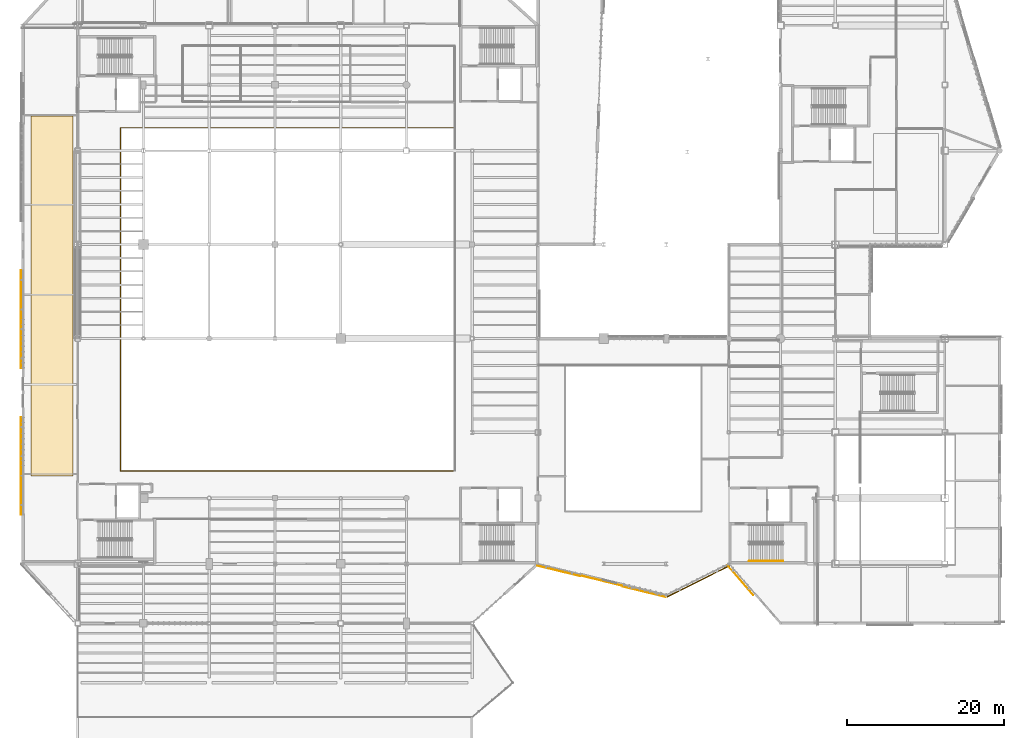
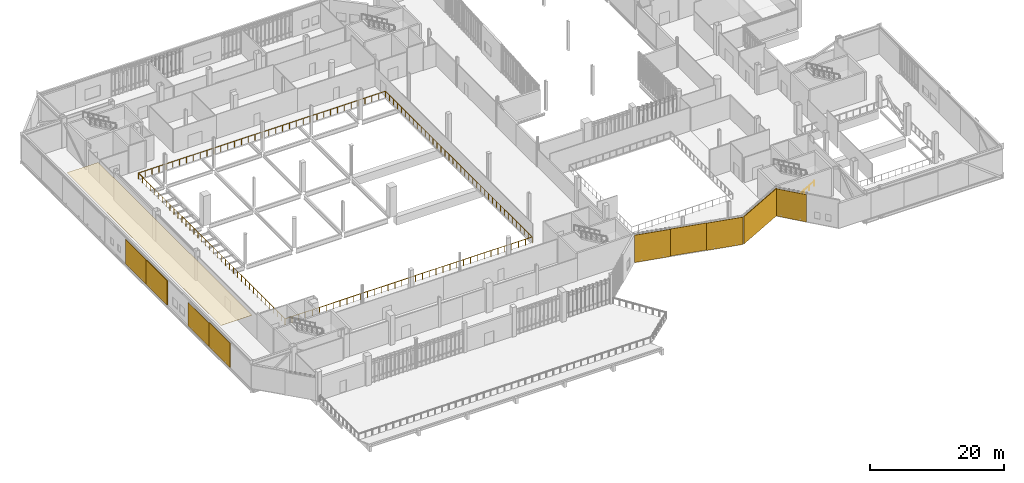
# One storey, part 120 of 127: 8 shading devices, 2 coverings, 2 railings.
"""IFC4 building model written with IfcOpenShell, lengths in metres."""

from ifc_helpers import new_model, si_unit, direction, frame, origin, origin_2d, place, context, subcontext, project, spatial, polyline, rectangle, circle, outline, extrude, material, layer, layer_set, type_object, element, save


model = new_model("IFC4")

# Units and contexts
model_context = context("Model", 3, precision=1e-05, world=origin(), true_north=direction((0.0, 1.0)))
body_context = subcontext(model_context, "Body", "Model", "MODEL_VIEW")
ifc_project = project(units=[si_unit("LENGTHUNIT", "METRE"), si_unit("AREAUNIT", "SQUARE_METRE"), si_unit("VOLUMEUNIT", "CUBIC_METRE"), si_unit("PLANEANGLEUNIT", "RADIAN"), si_unit("MASSUNIT", "GRAM", prefix="KILO")], contexts=[model_context])

# Site, building, storey
site_placement = place(None, origin())
site = spatial("IfcSite", under=ifc_project, at=site_placement, CompositionType="ELEMENT")
building_placement = place(site_placement, origin())
building = spatial("IfcBuilding", under=site, at=building_placement, Name="Larkvane Passage Sports Hall", CompositionType="ELEMENT")
storey_placement = place(building_placement, frame((0.0, 0.0, 5.39990234375)))
storey = spatial("IfcBuildingStorey", under=building, at=storey_placement, Name="L01", CompositionType="ELEMENT", Elevation=5.39990234375)

# Coverings
ifc_material_1 = material(Name="Perforated mineral-wool acoustic baffle")
ifc_layer_1 = layer(ifc_material_1, 0.030029296875)
ifc_layer_set_1 = layer_set([ifc_layer_1], Name="Perforated mineral-wool acoustic baffle")
covering_type_1 = type_object("IfcCoveringType", Name="COV-CEIL-ACOUST", PredefinedType="CEILING", material=ifc_layer_set_1)
covering_1_placement = place(storey_placement, frame((0.0, 0.0, 4.25)))
element("IfcCovering", 1, at=covering_1_placement, inside=storey, type_object=covering_type_1, Name="Acoustic ceiling baffle COV-CEIL-L01-GYM", PredefinedType="CEILING", context=body_context, shape_type="SweptSolid", body=[
    extrude(outline(polyline([(28.800048828125, 34.0), (34.199951171875, 34.0), (34.199951171875, 80.0), (28.800048828125, 80.0), (28.800048828125, 34.0)])), origin(), (0.0, 0.0, 1.0), 0.030029296875),
])
ifc_material_2 = material(Name="Perforated anodised aluminium 5052-H32", Category="aluminium")
ifc_layer_2 = layer(ifc_material_2, 0.050048828125)
ifc_layer_set_2 = layer_set([ifc_layer_2], Name="Perforated anodised aluminium 5052-H32")
covering_type_2 = type_object("IfcCoveringType", Name="COV-MESH-VEIL", PredefinedType="CLADDING", material=ifc_layer_set_2)
covering_2_placement = place(storey_placement, frame((101.761474609375, 20.64208984375, 0.0751953125), z_axis=(0.0, 0.0, 1.0), x_axis=(-0.971520338783, 0.23695618019, 0.0)))
element("IfcCovering", 2, at=covering_2_placement, inside=storey, type_object=covering_type_2, Name="Perforated cladding cassette L01-108", PredefinedType="CLADDING", context=body_context, shape_type="SweptSolid", body=[
    extrude(rectangle(XDim=5.791015625, YDim=0.050048828125, at=origin_2d()), origin(), (0.0, 0.0, 1.0), 4.949951171875),
])

# Railings
ifc_material_3 = material(Name="Laminated toughened glass and stainless steel S355JR", Category="steel")
railing_type_1 = type_object("IfcRailingType", Name="RL-BALUST-1120", PredefinedType="BALUSTRADE", material=ifc_material_3)
railing_1_placement = place(storey_placement, frame((40.280029296875, 34.679931640625, 0.0)))
element("IfcRailing", 3, at=railing_1_placement, inside=storey, type_object=railing_type_1, Name="Atrium void balustrade L01-003", PredefinedType="BALUSTRADE", context=body_context, shape_type="SweptSolid", body=[
    extrude(circle(Radius=0.02392578125, at=origin_2d()), frame((0.001953125, 0.0, 1.09619140625), z_axis=(1.0, 0.0, 0.0), x_axis=(0.0, 1.0, 0.0)), (0.0, 0.0, 1.0), 42.635986328125),
    extrude(circle(Radius=0.02392578125, at=origin_2d()), frame((42.639892578125, 0.001953125, 1.09619140625), z_axis=(0.0, 1.0, 0.0), x_axis=(-1.0, 0.0, 0.0)), (0.0, 0.0, 1.0), 43.836181640625),
    extrude(circle(Radius=0.02392578125, at=origin_2d()), frame((42.637939453125, 43.840087890625, 1.09619140625), z_axis=(-1.0, 0.0, 0.0), x_axis=(0.0, -1.0, 0.0)), (0.0, 0.0, 1.0), 42.635986328125),
    extrude(circle(Radius=0.02392578125, at=origin_2d()), frame((0.0, 43.838134765625, 1.09619140625), z_axis=(0.0, -1.0, 0.0), x_axis=(1.0, 0.0, 0.0)), (0.0, 0.0, 1.0), 43.836181640625),
    extrude(circle(Radius=0.02099609375, at=origin_2d()), origin(), (0.0, 0.0, 1.0), 1.072021484375),
    extrude(circle(Radius=0.02099609375, at=origin_2d()), frame((1.184326171875, 0.0, 0.0)), (0.0, 0.0, 1.0), 1.072021484375),
    extrude(circle(Radius=0.02099609375, at=origin_2d()), frame((2.368896484375, 0.0, 0.0)), (0.0, 0.0, 1.0), 1.072021484375),
    extrude(circle(Radius=0.02099609375, at=origin_2d()), frame((3.55322265625, 0.0, 0.0)), (0.0, 0.0, 1.0), 1.072021484375),
    extrude(circle(Radius=0.02099609375, at=origin_2d()), frame((4.73779296875, 0.0, 0.0)), (0.0, 0.0, 1.0), 1.072021484375),
    extrude(circle(Radius=0.02099609375, at=origin_2d()), frame((5.922119140625, 0.0, 0.0)), (0.0, 0.0, 1.0), 1.072021484375),
    extrude(circle(Radius=0.02099609375, at=origin_2d()), frame((7.106689453125, 0.0, 0.0)), (0.0, 0.0, 1.0), 1.072021484375),
    extrude(circle(Radius=0.02099609375, at=origin_2d()), frame((8.291015625, 0.0, 0.0)), (0.0, 0.0, 1.0), 1.072021484375),
    extrude(circle(Radius=0.02099609375, at=origin_2d()), frame((9.4755859375, 0.0, 0.0)), (0.0, 0.0, 1.0), 1.072021484375),
    extrude(circle(Radius=0.02099609375, at=origin_2d()), frame((10.659912109375, 0.0, 0.0)), (0.0, 0.0, 1.0), 1.072021484375),
    extrude(circle(Radius=0.02099609375, at=origin_2d()), frame((11.844482421875, 0.0, 0.0)), (0.0, 0.0, 1.0), 1.072021484375),
    extrude(circle(Radius=0.02099609375, at=origin_2d()), frame((13.02880859375, 0.0, 0.0)), (0.0, 0.0, 1.0), 1.072021484375),
    extrude(circle(Radius=0.02099609375, at=origin_2d()), frame((14.21337890625, 0.0, 0.0)), (0.0, 0.0, 1.0), 1.072021484375),
    extrude(circle(Radius=0.02099609375, at=origin_2d()), frame((15.397705078125, 0.0, 0.0)), (0.0, 0.0, 1.0), 1.072021484375),
    extrude(circle(Radius=0.02099609375, at=origin_2d()), frame((16.582275390625, 0.0, 0.0)), (0.0, 0.0, 1.0), 1.072021484375),
    extrude(circle(Radius=0.02099609375, at=origin_2d()), frame((17.7666015625, 0.0, 0.0)), (0.0, 0.0, 1.0), 1.072021484375),
    extrude(circle(Radius=0.02099609375, at=origin_2d()), frame((18.951171875, 0.0, 0.0)), (0.0, 0.0, 1.0), 1.072021484375),
    extrude(circle(Radius=0.02099609375, at=origin_2d()), frame((20.135498046875, 0.0, 0.0)), (0.0, 0.0, 1.0), 1.072021484375),
    extrude(circle(Radius=0.02099609375, at=origin_2d()), frame((21.31982421875, 0.0, 0.0)), (0.0, 0.0, 1.0), 1.072021484375),
    extrude(circle(Radius=0.02099609375, at=origin_2d()), frame((22.50439453125, 0.0, 0.0)), (0.0, 0.0, 1.0), 1.072021484375),
    extrude(circle(Radius=0.02099609375, at=origin_2d()), frame((23.688720703125, 0.0, 0.0)), (0.0, 0.0, 1.0), 1.072021484375),
    extrude(circle(Radius=0.02099609375, at=origin_2d()), frame((24.873291015625, 0.0, 0.0)), (0.0, 0.0, 1.0), 1.072021484375),
    extrude(circle(Radius=0.02099609375, at=origin_2d()), frame((26.0576171875, 0.0, 0.0)), (0.0, 0.0, 1.0), 1.072021484375),
    extrude(circle(Radius=0.02099609375, at=origin_2d()), frame((27.2421875, 0.0, 0.0)), (0.0, 0.0, 1.0), 1.072021484375),
    extrude(circle(Radius=0.02099609375, at=origin_2d()), frame((28.426513671875, 0.0, 0.0)), (0.0, 0.0, 1.0), 1.072021484375),
    extrude(circle(Radius=0.02099609375, at=origin_2d()), frame((29.611083984375, 0.0, 0.0)), (0.0, 0.0, 1.0), 1.072021484375),
    extrude(circle(Radius=0.02099609375, at=origin_2d()), frame((30.79541015625, 0.0, 0.0)), (0.0, 0.0, 1.0), 1.072021484375),
    extrude(circle(Radius=0.02099609375, at=origin_2d()), frame((31.97998046875, 0.0, 0.0)), (0.0, 0.0, 1.0), 1.072021484375),
    extrude(circle(Radius=0.02099609375, at=origin_2d()), frame((33.164306640625, 0.0, 0.0)), (0.0, 0.0, 1.0), 1.072021484375),
    extrude(circle(Radius=0.02099609375, at=origin_2d()), frame((34.348876953125, 0.0, 0.0)), (0.0, 0.0, 1.0), 1.072021484375),
    extrude(circle(Radius=0.02099609375, at=origin_2d()), frame((35.533203125, 0.0, 0.0)), (0.0, 0.0, 1.0), 1.072021484375),
    extrude(circle(Radius=0.02099609375, at=origin_2d()), frame((36.7177734375, 0.0, 0.0)), (0.0, 0.0, 1.0), 1.072021484375),
    extrude(circle(Radius=0.02099609375, at=origin_2d()), frame((37.902099609375, 0.0, 0.0)), (0.0, 0.0, 1.0), 1.072021484375),
    extrude(circle(Radius=0.02099609375, at=origin_2d()), frame((39.086669921875, 0.0, 0.0)), (0.0, 0.0, 1.0), 1.072021484375),
    extrude(circle(Radius=0.02099609375, at=origin_2d()), frame((40.27099609375, 0.0, 0.0)), (0.0, 0.0, 1.0), 1.072021484375),
    extrude(circle(Radius=0.02099609375, at=origin_2d()), frame((41.45556640625, 0.0, 0.0)), (0.0, 0.0, 1.0), 1.072021484375),
    extrude(circle(Radius=0.02099609375, at=origin_2d()), frame((42.639892578125, 0.0, 0.0)), (0.0, 0.0, 1.0), 1.072021484375),
    extrude(circle(Radius=0.02099609375, at=origin_2d()), frame((42.639892578125, 1.184814453125, 0.0)), (0.0, 0.0, 1.0), 1.072021484375),
    extrude(circle(Radius=0.02099609375, at=origin_2d()), frame((42.639892578125, 2.36962890625, 0.0)), (0.0, 0.0, 1.0), 1.072021484375),
    extrude(circle(Radius=0.02099609375, at=origin_2d()), frame((42.639892578125, 3.5546875, 0.0)), (0.0, 0.0, 1.0), 1.072021484375),
    extrude(circle(Radius=0.02099609375, at=origin_2d()), frame((42.639892578125, 4.739501953125, 0.0)), (0.0, 0.0, 1.0), 1.072021484375),
    extrude(circle(Radius=0.02099609375, at=origin_2d()), frame((42.639892578125, 5.92431640625, 0.0)), (0.0, 0.0, 1.0), 1.072021484375),
    extrude(circle(Radius=0.02099609375, at=origin_2d()), frame((42.639892578125, 7.109130859375, 0.0)), (0.0, 0.0, 1.0), 1.072021484375),
    extrude(circle(Radius=0.02099609375, at=origin_2d()), frame((42.639892578125, 8.294189453125, 0.0)), (0.0, 0.0, 1.0), 1.072021484375),
    extrude(circle(Radius=0.02099609375, at=origin_2d()), frame((42.639892578125, 9.47900390625, 0.0)), (0.0, 0.0, 1.0), 1.072021484375),
    extrude(circle(Radius=0.02099609375, at=origin_2d()), frame((42.639892578125, 10.663818359375, 0.0)), (0.0, 0.0, 1.0), 1.072021484375),
    extrude(circle(Radius=0.02099609375, at=origin_2d()), frame((42.639892578125, 11.8486328125, 0.0)), (0.0, 0.0, 1.0), 1.072021484375),
    extrude(circle(Radius=0.02099609375, at=origin_2d()), frame((42.639892578125, 13.033447265625, 0.0)), (0.0, 0.0, 1.0), 1.072021484375),
    extrude(circle(Radius=0.02099609375, at=origin_2d()), frame((42.639892578125, 14.218505859375, 0.0)), (0.0, 0.0, 1.0), 1.072021484375),
    extrude(circle(Radius=0.02099609375, at=origin_2d()), frame((42.639892578125, 15.4033203125, 0.0)), (0.0, 0.0, 1.0), 1.072021484375),
    extrude(circle(Radius=0.02099609375, at=origin_2d()), frame((42.639892578125, 16.588134765625, 0.0)), (0.0, 0.0, 1.0), 1.072021484375),
    extrude(circle(Radius=0.02099609375, at=origin_2d()), frame((42.639892578125, 17.77294921875, 0.0)), (0.0, 0.0, 1.0), 1.072021484375),
    extrude(circle(Radius=0.02099609375, at=origin_2d()), frame((42.639892578125, 18.957763671875, 0.0)), (0.0, 0.0, 1.0), 1.072021484375),
    extrude(circle(Radius=0.02099609375, at=origin_2d()), frame((42.639892578125, 20.142822265625, 0.0)), (0.0, 0.0, 1.0), 1.072021484375),
    extrude(circle(Radius=0.02099609375, at=origin_2d()), frame((42.639892578125, 21.32763671875, 0.0)), (0.0, 0.0, 1.0), 1.072021484375),
    extrude(circle(Radius=0.02099609375, at=origin_2d()), frame((42.639892578125, 22.512451171875, 0.0)), (0.0, 0.0, 1.0), 1.072021484375),
    extrude(circle(Radius=0.02099609375, at=origin_2d()), frame((42.639892578125, 23.697265625, 0.0)), (0.0, 0.0, 1.0), 1.072021484375),
    extrude(circle(Radius=0.02099609375, at=origin_2d()), frame((42.639892578125, 24.88232421875, 0.0)), (0.0, 0.0, 1.0), 1.072021484375),
    extrude(circle(Radius=0.02099609375, at=origin_2d()), frame((42.639892578125, 26.067138671875, 0.0)), (0.0, 0.0, 1.0), 1.072021484375),
    extrude(circle(Radius=0.02099609375, at=origin_2d()), frame((42.639892578125, 27.251953125, 0.0)), (0.0, 0.0, 1.0), 1.072021484375),
    extrude(circle(Radius=0.02099609375, at=origin_2d()), frame((42.639892578125, 28.436767578125, 0.0)), (0.0, 0.0, 1.0), 1.072021484375),
    extrude(circle(Radius=0.02099609375, at=origin_2d()), frame((42.639892578125, 29.62158203125, 0.0)), (0.0, 0.0, 1.0), 1.072021484375),
    extrude(circle(Radius=0.02099609375, at=origin_2d()), frame((42.639892578125, 30.806640625, 0.0)), (0.0, 0.0, 1.0), 1.072021484375),
    extrude(circle(Radius=0.02099609375, at=origin_2d()), frame((42.639892578125, 31.991455078125, 0.0)), (0.0, 0.0, 1.0), 1.072021484375),
    extrude(circle(Radius=0.02099609375, at=origin_2d()), frame((42.639892578125, 33.17626953125, 0.0)), (0.0, 0.0, 1.0), 1.072021484375),
    extrude(circle(Radius=0.02099609375, at=origin_2d()), frame((42.639892578125, 34.361083984375, 0.0)), (0.0, 0.0, 1.0), 1.072021484375),
    extrude(circle(Radius=0.02099609375, at=origin_2d()), frame((42.639892578125, 35.5458984375, 0.0)), (0.0, 0.0, 1.0), 1.072021484375),
    extrude(circle(Radius=0.02099609375, at=origin_2d()), frame((42.639892578125, 36.73095703125, 0.0)), (0.0, 0.0, 1.0), 1.072021484375),
    extrude(circle(Radius=0.02099609375, at=origin_2d()), frame((42.639892578125, 37.915771484375, 0.0)), (0.0, 0.0, 1.0), 1.072021484375),
    extrude(circle(Radius=0.02099609375, at=origin_2d()), frame((42.639892578125, 39.1005859375, 0.0)), (0.0, 0.0, 1.0), 1.072021484375),
    extrude(circle(Radius=0.02099609375, at=origin_2d()), frame((42.639892578125, 40.285400390625, 0.0)), (0.0, 0.0, 1.0), 1.072021484375),
    extrude(circle(Radius=0.02099609375, at=origin_2d()), frame((42.639892578125, 41.470458984375, 0.0)), (0.0, 0.0, 1.0), 1.072021484375),
    extrude(circle(Radius=0.02099609375, at=origin_2d()), frame((42.639892578125, 42.6552734375, 0.0)), (0.0, 0.0, 1.0), 1.072021484375),
    extrude(circle(Radius=0.02099609375, at=origin_2d()), frame((42.639892578125, 43.840087890625, 0.0)), (0.0, 0.0, 1.0), 1.072021484375),
    extrude(circle(Radius=0.02099609375, at=origin_2d()), frame((41.45556640625, 43.840087890625, 0.0)), (0.0, 0.0, 1.0), 1.072021484375),
    extrude(circle(Radius=0.02099609375, at=origin_2d()), frame((40.27099609375, 43.840087890625, 0.0)), (0.0, 0.0, 1.0), 1.072021484375),
    extrude(circle(Radius=0.02099609375, at=origin_2d()), frame((39.086669921875, 43.840087890625, 0.0)), (0.0, 0.0, 1.0), 1.072021484375),
    extrude(circle(Radius=0.02099609375, at=origin_2d()), frame((37.902099609375, 43.840087890625, 0.0)), (0.0, 0.0, 1.0), 1.072021484375),
    extrude(circle(Radius=0.02099609375, at=origin_2d()), frame((36.7177734375, 43.840087890625, 0.0)), (0.0, 0.0, 1.0), 1.072021484375),
    extrude(circle(Radius=0.02099609375, at=origin_2d()), frame((35.533203125, 43.840087890625, 0.0)), (0.0, 0.0, 1.0), 1.072021484375),
    extrude(circle(Radius=0.02099609375, at=origin_2d()), frame((34.348876953125, 43.840087890625, 0.0)), (0.0, 0.0, 1.0), 1.072021484375),
    extrude(circle(Radius=0.02099609375, at=origin_2d()), frame((33.164306640625, 43.840087890625, 0.0)), (0.0, 0.0, 1.0), 1.072021484375),
    extrude(circle(Radius=0.02099609375, at=origin_2d()), frame((31.97998046875, 43.840087890625, 0.0)), (0.0, 0.0, 1.0), 1.072021484375),
    extrude(circle(Radius=0.02099609375, at=origin_2d()), frame((30.79541015625, 43.840087890625, 0.0)), (0.0, 0.0, 1.0), 1.072021484375),
    extrude(circle(Radius=0.02099609375, at=origin_2d()), frame((29.611083984375, 43.840087890625, 0.0)), (0.0, 0.0, 1.0), 1.072021484375),
    extrude(circle(Radius=0.02099609375, at=origin_2d()), frame((28.426513671875, 43.840087890625, 0.0)), (0.0, 0.0, 1.0), 1.072021484375),
    extrude(circle(Radius=0.02099609375, at=origin_2d()), frame((27.2421875, 43.840087890625, 0.0)), (0.0, 0.0, 1.0), 1.072021484375),
    extrude(circle(Radius=0.02099609375, at=origin_2d()), frame((26.0576171875, 43.840087890625, 0.0)), (0.0, 0.0, 1.0), 1.072021484375),
    extrude(circle(Radius=0.02099609375, at=origin_2d()), frame((24.873291015625, 43.840087890625, 0.0)), (0.0, 0.0, 1.0), 1.072021484375),
    extrude(circle(Radius=0.02099609375, at=origin_2d()), frame((23.688720703125, 43.840087890625, 0.0)), (0.0, 0.0, 1.0), 1.072021484375),
    extrude(circle(Radius=0.02099609375, at=origin_2d()), frame((22.50439453125, 43.840087890625, 0.0)), (0.0, 0.0, 1.0), 1.072021484375),
    extrude(circle(Radius=0.02099609375, at=origin_2d()), frame((21.31982421875, 43.840087890625, 0.0)), (0.0, 0.0, 1.0), 1.072021484375),
    extrude(circle(Radius=0.02099609375, at=origin_2d()), frame((20.135498046875, 43.840087890625, 0.0)), (0.0, 0.0, 1.0), 1.072021484375),
    extrude(circle(Radius=0.02099609375, at=origin_2d()), frame((18.951171875, 43.840087890625, 0.0)), (0.0, 0.0, 1.0), 1.072021484375),
    extrude(circle(Radius=0.02099609375, at=origin_2d()), frame((17.7666015625, 43.840087890625, 0.0)), (0.0, 0.0, 1.0), 1.072021484375),
    extrude(circle(Radius=0.02099609375, at=origin_2d()), frame((16.582275390625, 43.840087890625, 0.0)), (0.0, 0.0, 1.0), 1.072021484375),
    extrude(circle(Radius=0.02099609375, at=origin_2d()), frame((15.397705078125, 43.840087890625, 0.0)), (0.0, 0.0, 1.0), 1.072021484375),
    extrude(circle(Radius=0.02099609375, at=origin_2d()), frame((14.21337890625, 43.840087890625, 0.0)), (0.0, 0.0, 1.0), 1.072021484375),
    extrude(circle(Radius=0.02099609375, at=origin_2d()), frame((13.02880859375, 43.840087890625, 0.0)), (0.0, 0.0, 1.0), 1.072021484375),
    extrude(circle(Radius=0.02099609375, at=origin_2d()), frame((11.844482421875, 43.840087890625, 0.0)), (0.0, 0.0, 1.0), 1.072021484375),
    extrude(circle(Radius=0.02099609375, at=origin_2d()), frame((10.659912109375, 43.840087890625, 0.0)), (0.0, 0.0, 1.0), 1.072021484375),
    extrude(circle(Radius=0.02099609375, at=origin_2d()), frame((9.4755859375, 43.840087890625, 0.0)), (0.0, 0.0, 1.0), 1.072021484375),
    extrude(circle(Radius=0.02099609375, at=origin_2d()), frame((8.291015625, 43.840087890625, 0.0)), (0.0, 0.0, 1.0), 1.072021484375),
    extrude(circle(Radius=0.02099609375, at=origin_2d()), frame((7.106689453125, 43.840087890625, 0.0)), (0.0, 0.0, 1.0), 1.072021484375),
    extrude(circle(Radius=0.02099609375, at=origin_2d()), frame((5.922119140625, 43.840087890625, 0.0)), (0.0, 0.0, 1.0), 1.072021484375),
    extrude(circle(Radius=0.02099609375, at=origin_2d()), frame((4.73779296875, 43.840087890625, 0.0)), (0.0, 0.0, 1.0), 1.072021484375),
    extrude(circle(Radius=0.02099609375, at=origin_2d()), frame((3.55322265625, 43.840087890625, 0.0)), (0.0, 0.0, 1.0), 1.072021484375),
    extrude(circle(Radius=0.02099609375, at=origin_2d()), frame((2.368896484375, 43.840087890625, 0.0)), (0.0, 0.0, 1.0), 1.072021484375),
    extrude(circle(Radius=0.02099609375, at=origin_2d()), frame((1.184326171875, 43.840087890625, 0.0)), (0.0, 0.0, 1.0), 1.072021484375),
    extrude(circle(Radius=0.02099609375, at=origin_2d()), frame((0.0, 43.840087890625, 0.0)), (0.0, 0.0, 1.0), 1.072021484375),
    extrude(circle(Radius=0.02099609375, at=origin_2d()), frame((0.0, 42.6552734375, 0.0)), (0.0, 0.0, 1.0), 1.072021484375),
    extrude(circle(Radius=0.02099609375, at=origin_2d()), frame((0.0, 41.470458984375, 0.0)), (0.0, 0.0, 1.0), 1.072021484375),
    extrude(circle(Radius=0.02099609375, at=origin_2d()), frame((0.0, 40.285400390625, 0.0)), (0.0, 0.0, 1.0), 1.072021484375),
    extrude(circle(Radius=0.02099609375, at=origin_2d()), frame((0.0, 39.1005859375, 0.0)), (0.0, 0.0, 1.0), 1.072021484375),
    extrude(circle(Radius=0.02099609375, at=origin_2d()), frame((0.0, 37.915771484375, 0.0)), (0.0, 0.0, 1.0), 1.072021484375),
    extrude(circle(Radius=0.02099609375, at=origin_2d()), frame((0.0, 36.73095703125, 0.0)), (0.0, 0.0, 1.0), 1.072021484375),
    extrude(circle(Radius=0.02099609375, at=origin_2d()), frame((0.0, 35.5458984375, 0.0)), (0.0, 0.0, 1.0), 1.072021484375),
    extrude(circle(Radius=0.02099609375, at=origin_2d()), frame((0.0, 34.361083984375, 0.0)), (0.0, 0.0, 1.0), 1.072021484375),
    extrude(circle(Radius=0.02099609375, at=origin_2d()), frame((0.0, 33.17626953125, 0.0)), (0.0, 0.0, 1.0), 1.072021484375),
    extrude(circle(Radius=0.02099609375, at=origin_2d()), frame((0.0, 31.991455078125, 0.0)), (0.0, 0.0, 1.0), 1.072021484375),
    extrude(circle(Radius=0.02099609375, at=origin_2d()), frame((0.0, 30.806640625, 0.0)), (0.0, 0.0, 1.0), 1.072021484375),
    extrude(circle(Radius=0.02099609375, at=origin_2d()), frame((0.0, 29.62158203125, 0.0)), (0.0, 0.0, 1.0), 1.072021484375),
    extrude(circle(Radius=0.02099609375, at=origin_2d()), frame((0.0, 28.436767578125, 0.0)), (0.0, 0.0, 1.0), 1.072021484375),
    extrude(circle(Radius=0.02099609375, at=origin_2d()), frame((0.0, 27.251953125, 0.0)), (0.0, 0.0, 1.0), 1.072021484375),
    extrude(circle(Radius=0.02099609375, at=origin_2d()), frame((0.0, 26.067138671875, 0.0)), (0.0, 0.0, 1.0), 1.072021484375),
    extrude(circle(Radius=0.02099609375, at=origin_2d()), frame((0.0, 24.88232421875, 0.0)), (0.0, 0.0, 1.0), 1.072021484375),
    extrude(circle(Radius=0.02099609375, at=origin_2d()), frame((0.0, 23.697265625, 0.0)), (0.0, 0.0, 1.0), 1.072021484375),
    extrude(circle(Radius=0.02099609375, at=origin_2d()), frame((0.0, 22.512451171875, 0.0)), (0.0, 0.0, 1.0), 1.072021484375),
    extrude(circle(Radius=0.02099609375, at=origin_2d()), frame((0.0, 21.32763671875, 0.0)), (0.0, 0.0, 1.0), 1.072021484375),
    extrude(circle(Radius=0.02099609375, at=origin_2d()), frame((0.0, 20.142822265625, 0.0)), (0.0, 0.0, 1.0), 1.072021484375),
    extrude(circle(Radius=0.02099609375, at=origin_2d()), frame((0.0, 18.957763671875, 0.0)), (0.0, 0.0, 1.0), 1.072021484375),
    extrude(circle(Radius=0.02099609375, at=origin_2d()), frame((0.0, 17.77294921875, 0.0)), (0.0, 0.0, 1.0), 1.072021484375),
    extrude(circle(Radius=0.02099609375, at=origin_2d()), frame((0.0, 16.588134765625, 0.0)), (0.0, 0.0, 1.0), 1.072021484375),
    extrude(circle(Radius=0.02099609375, at=origin_2d()), frame((0.0, 15.4033203125, 0.0)), (0.0, 0.0, 1.0), 1.072021484375),
    extrude(circle(Radius=0.02099609375, at=origin_2d()), frame((0.0, 14.218505859375, 0.0)), (0.0, 0.0, 1.0), 1.072021484375),
    extrude(circle(Radius=0.02099609375, at=origin_2d()), frame((0.0, 13.033447265625, 0.0)), (0.0, 0.0, 1.0), 1.072021484375),
    extrude(circle(Radius=0.02099609375, at=origin_2d()), frame((0.0, 11.8486328125, 0.0)), (0.0, 0.0, 1.0), 1.072021484375),
    extrude(circle(Radius=0.02099609375, at=origin_2d()), frame((0.0, 10.663818359375, 0.0)), (0.0, 0.0, 1.0), 1.072021484375),
    extrude(circle(Radius=0.02099609375, at=origin_2d()), frame((0.0, 9.47900390625, 0.0)), (0.0, 0.0, 1.0), 1.072021484375),
    extrude(circle(Radius=0.02099609375, at=origin_2d()), frame((0.0, 8.294189453125, 0.0)), (0.0, 0.0, 1.0), 1.072021484375),
    extrude(circle(Radius=0.02099609375, at=origin_2d()), frame((0.0, 7.109130859375, 0.0)), (0.0, 0.0, 1.0), 1.072021484375),
    extrude(circle(Radius=0.02099609375, at=origin_2d()), frame((0.0, 5.92431640625, 0.0)), (0.0, 0.0, 1.0), 1.072021484375),
    extrude(circle(Radius=0.02099609375, at=origin_2d()), frame((0.0, 4.739501953125, 0.0)), (0.0, 0.0, 1.0), 1.072021484375),
    extrude(circle(Radius=0.02099609375, at=origin_2d()), frame((0.0, 3.5546875, 0.0)), (0.0, 0.0, 1.0), 1.072021484375),
    extrude(circle(Radius=0.02099609375, at=origin_2d()), frame((0.0, 2.36962890625, 0.0)), (0.0, 0.0, 1.0), 1.072021484375),
    extrude(circle(Radius=0.02099609375, at=origin_2d()), frame((0.0, 1.184814453125, 0.0)), (0.0, 0.0, 1.0), 1.072021484375),
])
ifc_material_4 = material(Name="Stainless steel S355JR", Category="steel")
railing_type_2 = type_object("IfcRailingType", Name="RL-HAND-920", PredefinedType="HANDRAIL", material=ifc_material_4)
railing_2_placement = place(storey_placement, frame((120.580078125, 23.14990234375, 0.1689453125)))
element("IfcRailing", 4, at=railing_2_placement, inside=storey, type_object=railing_type_2, Name="L01 ST-05 stair handrail 1", PredefinedType="HANDRAIL", context=body_context, shape_type="SweptSolid", body=[
    extrude(circle(Radius=0.02392578125, at=origin_2d()), frame((0.001708984375, 0.0, 0.876953125), z_axis=(0.864311530196, 0.0, 0.502956835891), x_axis=(0.0, 1.0, 0.0)), (0.0, 0.0, 1.0), 5.02880859375),
    extrude(circle(Radius=0.02099609375, at=origin_2d()), origin(), (0.0, 0.0, 1.0), 0.851806640625),
    extrude(circle(Radius=0.02099609375, at=origin_2d()), frame((0.869873046875, 0.0, 0.50634765625)), (0.0, 0.0, 1.0), 0.851806640625),
    extrude(circle(Radius=0.02099609375, at=origin_2d()), frame((1.739990234375, 0.0, 1.012451171875)), (0.0, 0.0, 1.0), 0.851806640625),
    extrude(circle(Radius=0.02099609375, at=origin_2d()), frame((2.60986328125, 0.0, 1.518798828125)), (0.0, 0.0, 1.0), 0.851806640625),
    extrude(circle(Radius=0.02099609375, at=origin_2d()), frame((3.47998046875, 0.0, 2.02490234375)), (0.0, 0.0, 1.0), 0.851806640625),
    extrude(circle(Radius=0.02099609375, at=origin_2d()), frame((4.349853515625, 0.0, 2.53125)), (0.0, 0.0, 1.0), 0.851806640625),
])

# Shading devices
ifc_material_5 = material(Name="Extruded aluminium 6063-T6", Category="aluminium")
ifc_layer_3 = layer(ifc_material_5, 0.1201171875)
ifc_layer_set_3 = layer_set([ifc_layer_3], Name="Extruded aluminium 6063-T6")
shading_device_type_1 = type_object("IfcShadingDeviceType", Name="SHD-LOUVRE-STORM", PredefinedType="JALOUSIE", material=ifc_layer_set_3)
shading_device_1_placement = place(storey_placement, frame((27.56005859375, 50.945556640625, 0.06005859375), z_axis=(0.0, 0.0, 1.0), x_axis=(0.0, 1.0, 0.0)))
element("IfcShadingDevice", 5, at=shading_device_1_placement, inside=storey, type_object=shading_device_type_1, Name="Solar veil screen L01-021", PredefinedType="JALOUSIE", context=body_context, shape_type="SweptSolid", body=[
    extrude(rectangle(XDim=6.254638671875, YDim=0.1201171875, at=origin_2d()), origin(), (0.0, 0.0, 1.0), 4.4580078125),
])
shading_device_2_placement = place(storey_placement, frame((114.102783203125, 20.5830078125, 0.06005859375), z_axis=(0.0, 0.0, 1.0), x_axis=(-0.894427191001, -0.447213595499, 0.0)))
element("IfcShadingDevice", 6, at=shading_device_2_placement, inside=storey, type_object=shading_device_type_1, Name="Solar veil screen L01-042", PredefinedType="JALOUSIE", context=body_context, shape_type="SweptSolid", body=[
    extrude(rectangle(XDim=8.934326171875, YDim=0.1201171875, at=origin_2d()), origin(), (0.0, 0.0, 1.0), 4.97998046875),
])
ifc_layer_4 = layer(ifc_material_2, 0.06005859375)
ifc_layer_set_4 = layer_set([ifc_layer_4], Name="Perforated anodised aluminium 5052-H32")
shading_device_type_2 = type_object("IfcShadingDeviceType", Name="SHD-VEIL-PERF", PredefinedType="SHUTTER", material=ifc_layer_set_4)
shading_device_3_placement = place(storey_placement, frame((27.56005859375, 32.181884765625, 0.06005859375), z_axis=(0.0, 0.0, 1.0), x_axis=(0.0, 1.0, 0.0)))
element("IfcShadingDevice", 7, at=shading_device_3_placement, inside=storey, type_object=shading_device_type_2, Name="Solar veil screen L01-019", PredefinedType="SHUTTER", context=body_context, shape_type="SweptSolid", body=[
    extrude(rectangle(XDim=6.254638671875, YDim=0.06005859375, at=origin_2d()), origin(), (0.0, 0.0, 1.0), 4.4580078125),
])
shading_device_4_placement = place(storey_placement, frame((27.56005859375, 38.436279296875, 0.06005859375), z_axis=(0.0, 0.0, 1.0), x_axis=(0.0, 1.0, 0.0)))
element("IfcShadingDevice", 8, at=shading_device_4_placement, inside=storey, type_object=shading_device_type_2, Name="Solar veil screen L01-020", PredefinedType="SHUTTER", context=body_context, shape_type="SweptSolid", body=[
    extrude(rectangle(XDim=6.254638671875, YDim=0.06005859375, at=origin_2d()), origin(), (0.0, 0.0, 1.0), 4.260009765625),
])
shading_device_5_placement = place(storey_placement, frame((27.56005859375, 57.199951171875, 0.06005859375), z_axis=(0.0, 0.0, 1.0), x_axis=(0.0, 1.0, 0.0)))
element("IfcShadingDevice", 9, at=shading_device_5_placement, inside=storey, type_object=shading_device_type_2, Name="Solar veil screen L01-022", PredefinedType="SHUTTER", context=body_context, shape_type="SweptSolid", body=[
    extrude(rectangle(XDim=6.254638671875, YDim=0.06005859375, at=origin_2d()), origin(), (0.0, 0.0, 1.0), 4.4580078125),
])
shading_device_6_placement = place(storey_placement, frame((119.47314453125, 20.737548828125, 0.06005859375), z_axis=(0.0, 0.0, 1.0), x_axis=(-0.655686655453, 0.755033118387, 0.0)))
element("IfcShadingDevice", 10, at=shading_device_6_placement, inside=storey, type_object=shading_device_type_2, Name="Solar veil screen L01-041", PredefinedType="SHUTTER", context=body_context, shape_type="SweptSolid", body=[
    extrude(rectangle(XDim=5.01953125, YDim=0.06005859375, at=origin_2d()), origin(), (0.0, 0.0, 1.0), 4.97998046875),
])
shading_device_7_placement = place(storey_placement, frame((107.209716796875, 19.2333984375, 0.06005859375), z_axis=(0.0, 0.0, 1.0), x_axis=(-0.971520338783, 0.23695618019, 0.0)))
element("IfcShadingDevice", 11, at=shading_device_7_placement, inside=storey, type_object=shading_device_type_2, Name="Solar veil screen L01-043", PredefinedType="SHUTTER", context=body_context, shape_type="SweptSolid", body=[
    extrude(rectangle(XDim=5.626953125, YDim=0.06005859375, at=origin_2d()), origin(), (0.0, 0.0, 1.0), 4.97998046875),
])
shading_device_8_placement = place(storey_placement, frame((96.28125, 21.89892578125, 0.06005859375), z_axis=(0.0, 0.0, 1.0), x_axis=(-0.971520338783, 0.23695618019, 0.0)))
element("IfcShadingDevice", 12, at=shading_device_8_placement, inside=storey, type_object=shading_device_type_2, Name="Solar veil screen L01-044", PredefinedType="SHUTTER", context=body_context, shape_type="SweptSolid", body=[
    extrude(rectangle(XDim=5.616943359375, YDim=0.06005859375, at=origin_2d()), origin(), (0.0, 0.0, 1.0), 4.97998046875),
])

save(model, "model.ifc")
